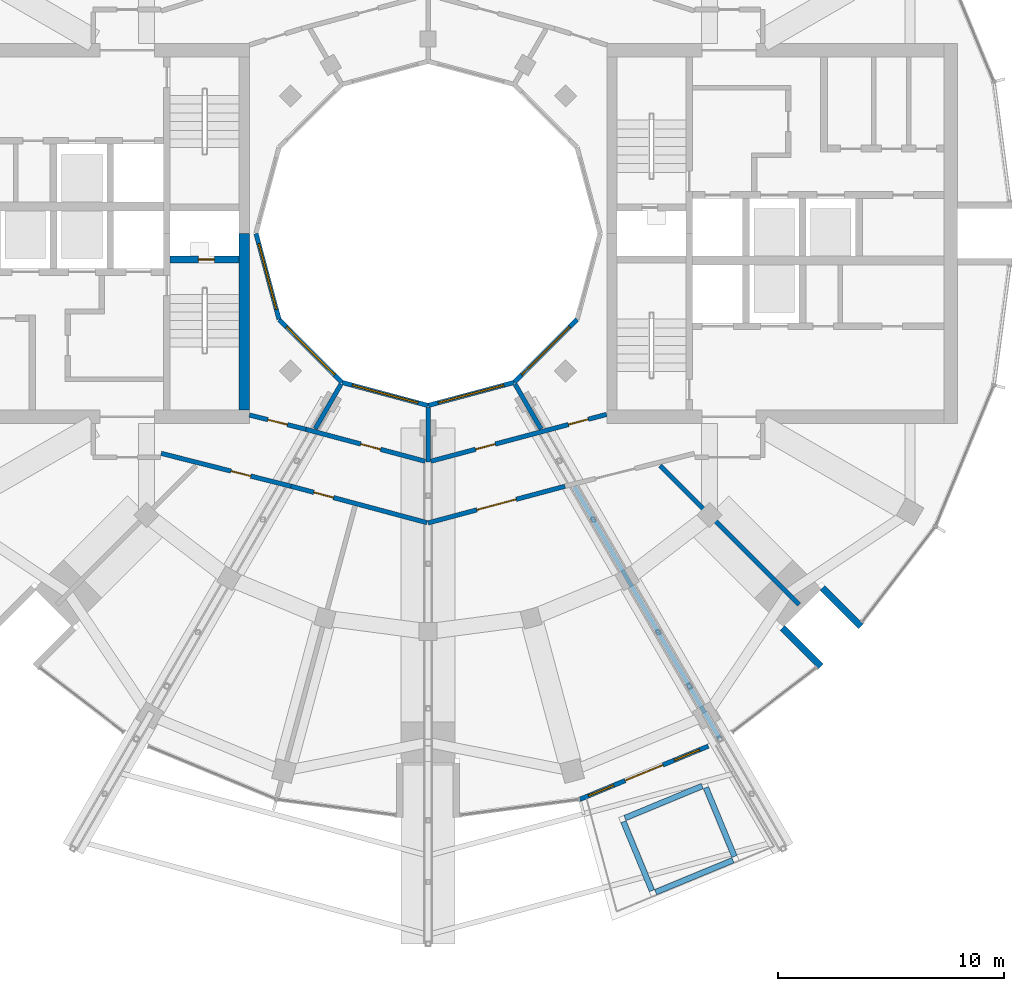
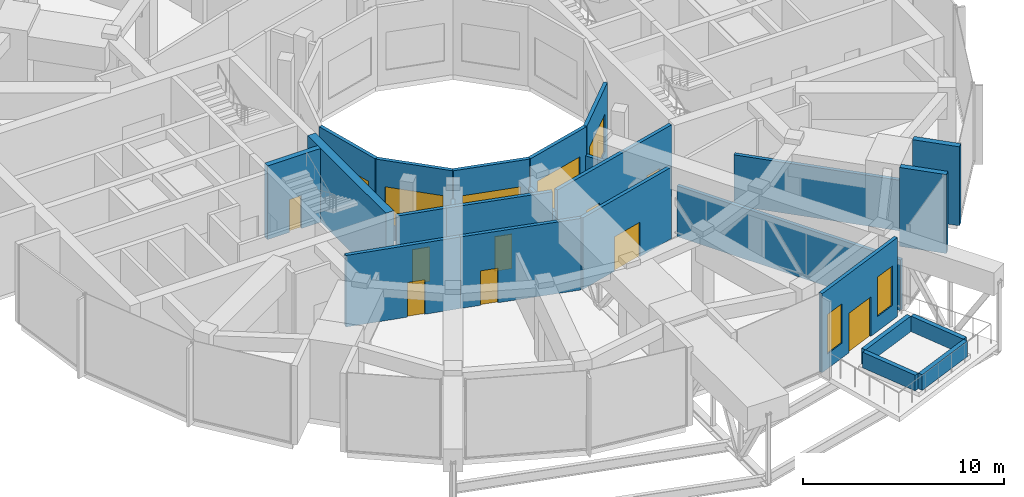
# One storey, part 11 of 17: 25 walls, 9 doors, 7 windows, 16 openings.
"""IFC4 building model written with IfcOpenShell, lengths in metres."""

from ifc_helpers import new_model, si_unit, direction, frame, frame_2d, origin, place, context, subcontext, project, spatial, rectangle, extrude, material, layer, layer_set, type_object, element, fill, save


model = new_model("IFC4")

# Units and contexts
model_context = context("Model", 3, precision=1e-05, world=origin(), true_north=direction((0.0, 1.0)))
body_context = subcontext(model_context, "Body", "Model", "MODEL_VIEW")
ifc_project = project(units=[si_unit("LENGTHUNIT", "METRE"), si_unit("AREAUNIT", "SQUARE_METRE"), si_unit("VOLUMEUNIT", "CUBIC_METRE"), si_unit("PLANEANGLEUNIT", "RADIAN"), si_unit("MASSUNIT", "GRAM", prefix="KILO")], contexts=[model_context])

# Site, building, storey
site_placement = place(None, origin())
site = spatial("IfcSite", under=ifc_project, at=site_placement, CompositionType="ELEMENT")
building_placement = place(site_placement, origin())
building = spatial("IfcBuilding", under=site, at=building_placement, Name="Torre Brocal", CompositionType="ELEMENT")
storey_placement = place(building_placement, frame((0.0, 0.0, 270.89990234375)))
storey = spatial("IfcBuildingStorey", under=building, at=storey_placement, Name="L62", CompositionType="ELEMENT", Elevation=270.89990234375)

# Wall, opening, door
ifc_material_1 = material(Name="Concrete C60", Category="concrete")
ifc_layer_1 = layer(ifc_material_1, 0.300048828125)
ifc_layer_set_1 = layer_set([ifc_layer_1], Name="Concrete C60")
wall_type_1 = type_object("IfcWallType", Name="CORE WALL 300 C60", PredefinedType="SHEAR", material=ifc_layer_set_1)
wall_1_placement = place(storey_placement, frame((71.64990234375, 73.85009765625, 0.0), z_axis=(0.0, 0.0, 1.0), x_axis=(-1.0, 0.0, 0.0)))
wall_1 = element("IfcWall", 1, at=wall_1_placement, inside=storey, type_object=wall_type_1, Name="Wall CW300-60", PredefinedType="SHEAR", context=body_context, shape_type="SweptSolid", body=[
    extrude(rectangle(XDim=3.0498046875, YDim=0.300048828125, at=frame_2d((1.52490234375, 0.0))), origin(), (0.0, 0.0, 1.0), 4.47998046875),
])
opening_1_placement = place(wall_1_placement, frame((1.10009765625, 0.0, 0.0)))
opening_1 = element("IfcOpeningElement", 2, at=opening_1_placement, cuts=wall_1, Name="Opening W-D01", PredefinedType="OPENING", context=body_context, shape_type="SweptSolid", body=[
    extrude(rectangle(XDim=0.699951171875, YDim=2.0, at=frame_2d((0.35009765625, 1.0))), frame((0.0, 0.159912109375, 0.0), z_axis=(0.0, -1.0, 0.0), x_axis=(1.0, 0.0, 0.0)), (0.0, 0.0, 1.0), 0.320068359375),
])
ifc_material_2 = material(Name="Steel A653", Category="steel")
door_type_1 = type_object("IfcDoorType", Name="RISER DOOR FD120 700X2000", OperationType="SINGLE_SWING_LEFT", PredefinedType="DOOR", material=ifc_material_2)
door_1_placement = place(opening_1_placement, frame((0.699951171875, 0.0, 0.0), z_axis=(0.0, 0.0, 1.0), x_axis=(-1.0, 0.0, 0.0)))
door_1 = element("IfcDoor", 3, at=door_1_placement, inside=storey, type_object=door_type_1, Name="Door W-D01", OperationType="SINGLE_SWING_RIGHT", OverallHeight=2.0, OverallWidth=0.699951171875, PredefinedType="DOOR", context=body_context, shape_type="SweptSolid", body=[
    extrude(rectangle(XDim=0.699951171875, YDim=2.0, at=frame_2d((0.35009765625, 1.0))), frame((0.0, 0.02490234375, 0.0), z_axis=(0.0, -1.0, 0.0), x_axis=(1.0, 0.0, 0.0)), (0.0, 0.0, 1.0), 0.050048828125),
])
fill(opening_1, door_1)

# Wall
ifc_material_3 = material(Name="Concrete C60", Category="concrete")
ifc_layer_2 = layer(ifc_material_3, 0.449951171875)
ifc_layer_set_2 = layer_set([ifc_layer_2], Name="Concrete C60")
wall_type_2 = type_object("IfcWallType", Name="CORE WALL 450 C60", PredefinedType="SHEAR", material=ifc_layer_set_2)
wall_2_placement = place(storey_placement, frame((71.875, 75.0, 0.0), z_axis=(0.0, 0.0, 1.0), x_axis=(0.0, -1.0, 0.0)))
element("IfcWall", 4, at=wall_2_placement, inside=storey, type_object=wall_type_2, Name="Wall CW450-60", PredefinedType="SHEAR", context=body_context, shape_type="SweptSolid", body=[
    extrude(rectangle(XDim=7.800048828125, YDim=0.449951171875, at=frame_2d((3.89990234375, 0.0))), origin(), (0.0, 0.0, 1.0), 4.47998046875),
])

# Wall, openings, door, windows
ifc_material_4 = material(Name="Concrete C40", Category="concrete")
ifc_layer_3 = layer(ifc_material_4, 0.199951171875)
ifc_layer_set_3 = layer_set([ifc_layer_3], Name="Concrete C40")
wall_type_3 = type_object("IfcWallType", Name="EXTERNAL WALL 200", PredefinedType="NOTDEFINED", material=ifc_layer_set_3)
wall_3_placement = place(storey_placement, frame((86.703125, 49.9833984375, 0.0), z_axis=(0.0, 0.0, 1.0), x_axis=(0.923881003904, 0.382679880089, 0.0)))
wall_3 = element("IfcWall", 5, at=wall_3_placement, inside=storey, type_object=wall_type_3, Name="EXTERNAL WALL", PredefinedType="NOTDEFINED", context=body_context, shape_type="SweptSolid", body=[
    extrude(rectangle(XDim=6.15576171875, YDim=0.199951171875, at=frame_2d((3.077880859375, 0.0))), origin(), (0.0, 0.0, 1.0), 4.800048828125),
])
opening_2_placement = place(wall_3_placement, frame((0.426025390625, 0.0, 0.89990234375)))
opening_2 = element("IfcOpeningElement", 6, at=opening_2_placement, cuts=wall_3, Name="Opening W3", PredefinedType="OPENING", context=body_context, shape_type="SweptSolid", body=[
    extrude(rectangle(XDim=1.199951171875, YDim=2.39990234375, at=frame_2d((0.60009765625, 1.199951171875))), frame((0.0, 0.10986328125, 0.0), z_axis=(0.0, -1.0, 0.0), x_axis=(1.0, 0.0, 0.0)), (0.0, 0.0, 1.0), 0.219970703125),
])
opening_3_placement = place(wall_3_placement, frame((2.177978515625, 0.0, 0.0)))
opening_3 = element("IfcOpeningElement", 7, at=opening_3_placement, cuts=wall_3, Name="Opening L62-E01", PredefinedType="OPENING", context=body_context, shape_type="SweptSolid", body=[
    extrude(rectangle(XDim=1.800048828125, YDim=2.39990234375, at=frame_2d((0.89990234375, 1.199951171875))), frame((0.0, 0.10986328125, 0.0), z_axis=(0.0, -1.0, 0.0), x_axis=(1.0, 0.0, 0.0)), (0.0, 0.0, 1.0), 0.219970703125),
])
opening_4_placement = place(wall_3_placement, frame((4.52978515625, 0.0, 0.89990234375)))
opening_4 = element("IfcOpeningElement", 8, at=opening_4_placement, cuts=wall_3, Name="Opening W3", PredefinedType="OPENING", context=body_context, shape_type="SweptSolid", body=[
    extrude(rectangle(XDim=1.199951171875, YDim=2.39990234375, at=frame_2d((0.60009765625, 1.199951171875))), frame((0.0, 0.10986328125, 0.0), z_axis=(0.0, -1.0, 0.0), x_axis=(1.0, 0.0, 0.0)), (0.0, 0.0, 1.0), 0.219970703125),
])
ifc_material_5 = material(Name="Aluminium and glass", Category="aluminium")
door_type_2 = type_object("IfcDoorType", Name="TERRACE DOUBLE DOOR 1800X2400", OperationType="DOUBLE_DOOR_SINGLE_SWING", PredefinedType="DOOR", material=ifc_material_5)
door_2_placement = place(opening_3_placement, frame((1.800048828125, 0.0, 0.0), z_axis=(0.0, 0.0, 1.0), x_axis=(-1.0, 0.0, 0.0)))
door_2 = element("IfcDoor", 9, at=door_2_placement, inside=storey, type_object=door_type_2, Name="DOOR L62-E01", OperationType="DOUBLE_DOOR_SINGLE_SWING", OverallHeight=2.39990234375, OverallWidth=1.800048828125, PredefinedType="DOOR", context=body_context, shape_type="SweptSolid", body=[
    extrude(rectangle(XDim=1.800048828125, YDim=2.39990234375, at=frame_2d((0.89990234375, 1.199951171875))), frame((0.0, 0.02490234375, 0.0), z_axis=(0.0, -1.0, 0.0), x_axis=(1.0, 0.0, 0.0)), (0.0, 0.0, 1.0), 0.050048828125),
])
fill(opening_3, door_2)
ifc_material_6 = material(Name="Aluminium and glass", Category="aluminium")
window_type_1 = type_object("IfcWindowType", Name="TERRACE WINDOW 1200X2400", PartitioningType="SINGLE_PANEL", PredefinedType="WINDOW", material=ifc_material_6)
window_1_placement = place(opening_2_placement, origin())
window_1 = element("IfcWindow", 10, at=window_1_placement, inside=storey, type_object=window_type_1, Name="TERRACE WINDOW 1200X2400", OverallHeight=2.39990234375, OverallWidth=1.199951171875, PartitioningType="SINGLE_PANEL", PredefinedType="WINDOW", context=body_context, shape_type="SweptSolid", body=[
    extrude(rectangle(XDim=1.199951171875, YDim=2.39990234375, at=frame_2d((0.60009765625, 1.199951171875))), frame((0.0, 0.030029296875, 0.0), z_axis=(0.0, -1.0, 0.0), x_axis=(1.0, 0.0, 0.0)), (0.0, 0.0, 1.0), 0.06005859375),
])
fill(opening_2, window_1)
window_2_placement = place(opening_4_placement, origin())
window_2 = element("IfcWindow", 11, at=window_2_placement, inside=storey, type_object=window_type_1, Name="TERRACE WINDOW 1200X2400", OverallHeight=2.39990234375, OverallWidth=1.199951171875, PartitioningType="SINGLE_PANEL", PredefinedType="WINDOW", context=body_context, shape_type="SweptSolid", body=[
    extrude(rectangle(XDim=1.199951171875, YDim=2.39990234375, at=frame_2d((0.60009765625, 1.199951171875))), frame((0.0, 0.030029296875, 0.0), z_axis=(0.0, -1.0, 0.0), x_axis=(1.0, 0.0, 0.0)), (0.0, 0.0, 1.0), 0.06005859375),
])
fill(opening_4, window_2)

# Walls
ifc_material_7 = material(Name="Concrete C60", Category="concrete")
ifc_layer_4 = layer(ifc_material_7, 0.300048828125)
ifc_layer_set_4 = layer_set([ifc_layer_4], Name="Concrete C60")
wall_type_4 = type_object("IfcWallType", Name="NOTCH RETURN WALL 300 C60", PredefinedType="NOTDEFINED", material=ifc_layer_set_4)
for number, where, z_axis, x_axis, name in (
    (12, (95.662353515625, 57.56982421875, 0.0), (0.0, 0.0, 1.0), (0.707106781187, -0.707106781187, 0.0), "NOTCH RETURN WALL"),
    (13, (97.43017578125, 59.337646484375, 0.0), (0.0, 0.0, 1.0), (0.707106781187, -0.707106781187, 0.0), "NOTCH RETURN WALL"),
):
    element("IfcWall", number, at=place(storey_placement, frame(where, z_axis=z_axis, x_axis=x_axis)), inside=storey, type_object=wall_type_4, Name=name, PredefinedType="NOTDEFINED", context=body_context, shape_type="SweptSolid", body=[
        extrude(rectangle(XDim=2.415771484375, YDim=0.300048828125, at=frame_2d((1.2080078125, 0.0))), origin(), (0.0, 0.0, 1.0), 4.800048828125),
    ])

# Wall, opening, door
ifc_material_8 = material(Name="Gypsum board", Category="Gypsum")
ifc_layer_5 = layer(ifc_material_8, 0.199951171875)
ifc_layer_set_5 = layer_set([ifc_layer_5], Name="Gypsum board")
wall_type_5 = type_object("IfcWallType", Name="PARTITION 200 EI60", PredefinedType="PARTITIONING", material=ifc_layer_set_5)
wall_4_placement = place(storey_placement, frame((68.201171875, 65.2802734375, 0.0), z_axis=(0.0, 0.0, 1.0), x_axis=(0.969376914413, -0.245577681811, 0.0)))
wall_4 = element("IfcWall", 14, at=wall_4_placement, inside=storey, type_object=wall_type_5, Name="CORRIDOR WALL", PredefinedType="PARTITIONING", context=body_context, shape_type="SweptSolid", body=[
    extrude(rectangle(XDim=5.927001953125, YDim=0.199951171875, at=frame_2d((2.96337890625, 0.0))), origin(), (0.0, 0.0, 1.0), 4.35009765625),
])
opening_5_placement = place(wall_4_placement, frame((3.188232421875, 0.0, 0.0)))
opening_5 = element("IfcOpeningElement", 15, at=opening_5_placement, cuts=wall_4, Name="Opening P01-D14", PredefinedType="OPENING", context=body_context, shape_type="SweptSolid", body=[
    extrude(rectangle(XDim=0.89990234375, YDim=2.10009765625, at=frame_2d((0.449951171875, 1.050048828125))), frame((0.0, 0.10986328125, 0.0), z_axis=(0.0, -1.0, 0.0), x_axis=(1.0, 0.0, 0.0)), (0.0, 0.0, 1.0), 0.219970703125),
])
ifc_material_9 = material(Name="Timber", Category="wood")
door_type_3 = type_object("IfcDoorType", Name="ROOM DOOR 900X2100", OperationType="SINGLE_SWING_LEFT", PredefinedType="DOOR", material=ifc_material_9)
door_3_placement = place(opening_5_placement, frame((0.89990234375, 0.0, 0.0), z_axis=(0.0, 0.0, 1.0), x_axis=(-1.0, 0.0, 0.0)))
door_3 = element("IfcDoor", 16, at=door_3_placement, inside=storey, type_object=door_type_3, Name="P01-D14", OperationType="SINGLE_SWING_LEFT", OverallHeight=2.10009765625, OverallWidth=0.89990234375, PredefinedType="DOOR", context=body_context, shape_type="SweptSolid", body=[
    extrude(rectangle(XDim=0.89990234375, YDim=2.10009765625, at=frame_2d((0.449951171875, 1.050048828125))), frame((0.0, 0.02490234375, 0.0), z_axis=(0.0, -1.0, 0.0), x_axis=(1.0, 0.0, 0.0)), (0.0, 0.0, 1.0), 0.050048828125),
])
fill(opening_5, door_3)

wall_5_placement = place(storey_placement, frame((72.10009765625, 66.97509765625, 0.0), z_axis=(0.0, 0.0, 1.0), x_axis=(0.969471314457, -0.245204752086, 0.0)))
wall_5 = element("IfcWall", 17, at=wall_5_placement, inside=storey, type_object=wall_type_5, Name="CORRIDOR WALL", PredefinedType="PARTITIONING", context=body_context, shape_type="SweptSolid", body=[
    extrude(rectangle(XDim=2.581787109375, YDim=0.199951171875, at=frame_2d((1.291015625, 0.0))), origin(), (0.0, 0.0, 1.0), 4.35009765625),
])
opening_6_placement = place(wall_5_placement, frame((0.8408203125, 0.0, 0.0)))
opening_6 = element("IfcOpeningElement", 18, at=opening_6_placement, cuts=wall_5, Name="Opening P01-D19", PredefinedType="OPENING", context=body_context, shape_type="SweptSolid", body=[
    extrude(rectangle(XDim=0.89990234375, YDim=2.10009765625, at=frame_2d((0.449951171875, 1.050048828125))), frame((0.0, 0.10986328125, 0.0), z_axis=(0.0, -1.0, 0.0), x_axis=(1.0, 0.0, 0.0)), (0.0, 0.0, 1.0), 0.219970703125),
])
door_4_placement = place(opening_6_placement, origin())
door_4 = element("IfcDoor", 19, at=door_4_placement, inside=storey, type_object=door_type_3, Name="P01-D19", OperationType="SINGLE_SWING_LEFT", OverallHeight=2.10009765625, OverallWidth=0.89990234375, PredefinedType="DOOR", context=body_context, shape_type="SweptSolid", body=[
    extrude(rectangle(XDim=0.89990234375, YDim=2.10009765625, at=frame_2d((0.449951171875, 1.050048828125))), frame((0.0, 0.02490234375, 0.0), z_axis=(0.0, -1.0, 0.0), x_axis=(1.0, 0.0, 0.0)), (0.0, 0.0, 1.0), 0.050048828125),
])
fill(opening_6, door_4)

wall_6_placement = place(storey_placement, frame((73.947021484375, 63.826171875, 0.0), z_axis=(0.0, 0.0, 1.0), x_axis=(0.965898432367, -0.258921258979, 0.0)))
wall_6 = element("IfcWall", 20, at=wall_6_placement, inside=storey, type_object=wall_type_5, Name="CORRIDOR WALL", PredefinedType="PARTITIONING", context=body_context, shape_type="SweptSolid", body=[
    extrude(rectangle(XDim=6.216552734375, YDim=0.199951171875, at=frame_2d((3.1083984375, 0.0))), origin(), (0.0, 0.0, 1.0), 4.35009765625),
])
opening_7_placement = place(wall_6_placement, frame((1.037109375, 0.0, 0.0)))
opening_7 = element("IfcOpeningElement", 21, at=opening_7_placement, cuts=wall_6, Name="Opening P01-D13", PredefinedType="OPENING", context=body_context, shape_type="SweptSolid", body=[
    extrude(rectangle(XDim=0.89990234375, YDim=2.10009765625, at=frame_2d((0.449951171875, 1.050048828125))), frame((0.0, 0.10986328125, 0.0), z_axis=(0.0, -1.0, 0.0), x_axis=(1.0, 0.0, 0.0)), (0.0, 0.0, 1.0), 0.219970703125),
])
door_5_placement = place(opening_7_placement, frame((0.89990234375, 0.0, 0.0), z_axis=(0.0, 0.0, 1.0), x_axis=(-1.0, 0.0, 0.0)))
door_5 = element("IfcDoor", 22, at=door_5_placement, inside=storey, type_object=door_type_3, Name="P01-D13", OperationType="SINGLE_SWING_LEFT", OverallHeight=2.10009765625, OverallWidth=0.89990234375, PredefinedType="DOOR", context=body_context, shape_type="SweptSolid", body=[
    extrude(rectangle(XDim=0.89990234375, YDim=2.10009765625, at=frame_2d((0.449951171875, 1.050048828125))), frame((0.0, 0.02490234375, 0.0), z_axis=(0.0, -1.0, 0.0), x_axis=(1.0, 0.0, 0.0)), (0.0, 0.0, 1.0), 0.050048828125),
])
fill(opening_7, door_5)

wall_7_placement = place(storey_placement, frame((74.60302734375, 66.342041015625, 0.0), z_axis=(0.0, 0.0, 1.0), x_axis=(0.965920893652, -0.258837453254, 0.0)))
wall_7 = element("IfcWall", 23, at=wall_7_placement, inside=storey, type_object=wall_type_5, Name="CORRIDOR WALL", PredefinedType="PARTITIONING", context=body_context, shape_type="SweptSolid", body=[
    extrude(rectangle(XDim=5.45751953125, YDim=0.199951171875, at=frame_2d((2.728759765625, 0.0))), origin(), (0.0, 0.0, 1.0), 4.35009765625),
])
opening_8_placement = place(wall_7_placement, frame((2.512451171875, 0.0, 0.0)))
opening_8 = element("IfcOpeningElement", 24, at=opening_8_placement, cuts=wall_7, Name="Opening P01-D18", PredefinedType="OPENING", context=body_context, shape_type="SweptSolid", body=[
    extrude(rectangle(XDim=0.89990234375, YDim=2.10009765625, at=frame_2d((0.449951171875, 1.050048828125))), frame((0.0, 0.10986328125, 0.0), z_axis=(0.0, -1.0, 0.0), x_axis=(1.0, 0.0, 0.0)), (0.0, 0.0, 1.0), 0.219970703125),
])
door_6_placement = place(opening_8_placement, origin())
door_6 = element("IfcDoor", 25, at=door_6_placement, inside=storey, type_object=door_type_3, Name="P01-D18", OperationType="SINGLE_SWING_LEFT", OverallHeight=2.10009765625, OverallWidth=0.89990234375, PredefinedType="DOOR", context=body_context, shape_type="SweptSolid", body=[
    extrude(rectangle(XDim=0.89990234375, YDim=2.10009765625, at=frame_2d((0.449951171875, 1.050048828125))), frame((0.0, 0.02490234375, 0.0), z_axis=(0.0, -1.0, 0.0), x_axis=(1.0, 0.0, 0.0)), (0.0, 0.0, 1.0), 0.050048828125),
])
fill(opening_8, door_6)

# Wall, openings, doors
wall_8_placement = place(storey_placement, frame((80.125, 64.931640625, 0.0), z_axis=(0.0, 0.0, 1.0), x_axis=(0.966236955806, 0.257655089674, 0.0)))
wall_8 = element("IfcWall", 26, at=wall_8_placement, inside=storey, type_object=wall_type_5, Name="PLANT ROOM WALL", PredefinedType="PARTITIONING", context=body_context, shape_type="SweptSolid", body=[
    extrude(rectangle(XDim=8.0390625, YDim=0.199951171875, at=frame_2d((4.01953125, 0.0))), origin(), (0.0, 0.0, 1.0), 4.35009765625),
])
opening_9_placement = place(wall_8_placement, frame((6.298095703125, 0.0, 0.0)))
opening_9 = element("IfcOpeningElement", 27, at=opening_9_placement, cuts=wall_8, Name="Opening P01-D16", PredefinedType="OPENING", context=body_context, shape_type="SweptSolid", body=[
    extrude(rectangle(XDim=0.89990234375, YDim=2.10009765625, at=frame_2d((0.449951171875, 1.050048828125))), frame((0.0, 0.10986328125, 0.0), z_axis=(0.0, -1.0, 0.0), x_axis=(1.0, 0.0, 0.0)), (0.0, 0.0, 1.0), 0.219970703125),
])
opening_10_placement = place(wall_8_placement, frame((2.044921875, 0.0, 0.0)))
opening_10 = element("IfcOpeningElement", 28, at=opening_10_placement, cuts=wall_8, Name="Opening P01-D17", PredefinedType="OPENING", context=body_context, shape_type="SweptSolid", body=[
    extrude(rectangle(XDim=0.89990234375, YDim=2.10009765625, at=frame_2d((0.449951171875, 1.050048828125))), frame((0.0, 0.10986328125, 0.0), z_axis=(0.0, -1.0, 0.0), x_axis=(1.0, 0.0, 0.0)), (0.0, 0.0, 1.0), 0.219970703125),
])
door_7_placement = place(opening_9_placement, origin())
door_7 = element("IfcDoor", 29, at=door_7_placement, inside=storey, type_object=door_type_3, Name="P01-D16", OperationType="SINGLE_SWING_RIGHT", OverallHeight=2.10009765625, OverallWidth=0.89990234375, PredefinedType="DOOR", context=body_context, shape_type="SweptSolid", body=[
    extrude(rectangle(XDim=0.89990234375, YDim=2.10009765625, at=frame_2d((0.449951171875, 1.050048828125))), frame((0.0, 0.02490234375, 0.0), z_axis=(0.0, -1.0, 0.0), x_axis=(1.0, 0.0, 0.0)), (0.0, 0.0, 1.0), 0.050048828125),
])
fill(opening_9, door_7)
door_8_placement = place(opening_10_placement, origin())
door_8 = element("IfcDoor", 30, at=door_8_placement, inside=storey, type_object=door_type_3, Name="P01-D17", OperationType="SINGLE_SWING_RIGHT", OverallHeight=2.10009765625, OverallWidth=0.89990234375, PredefinedType="DOOR", context=body_context, shape_type="SweptSolid", body=[
    extrude(rectangle(XDim=0.89990234375, YDim=2.10009765625, at=frame_2d((0.449951171875, 1.050048828125))), frame((0.0, 0.02490234375, 0.0), z_axis=(0.0, -1.0, 0.0), x_axis=(1.0, 0.0, 0.0)), (0.0, 0.0, 1.0), 0.050048828125),
])
fill(opening_10, door_8)

# Wall, opening, door
wall_9_placement = place(storey_placement, frame((80.0, 62.2041015625, 0.0), z_axis=(0.0, 0.0, 1.0), x_axis=(0.965938139786, 0.258773086132, 0.0)))
wall_9 = element("IfcWall", 31, at=wall_9_placement, inside=storey, type_object=wall_type_5, Name="CORRIDOR WALL", PredefinedType="PARTITIONING", context=body_context, shape_type="SweptSolid", body=[
    extrude(rectangle(XDim=6.266357421875, YDim=0.199951171875, at=frame_2d((3.13330078125, 0.0))), origin(), (0.0, 0.0, 1.0), 4.35009765625),
])
opening_11_placement = place(wall_9_placement, frame((2.2333984375, 0.0, 0.0)))
opening_11 = element("IfcOpeningElement", 32, at=opening_11_placement, cuts=wall_9, Name="Opening P01-D12", PredefinedType="OPENING", context=body_context, shape_type="SweptSolid", body=[
    extrude(rectangle(XDim=1.800048828125, YDim=2.10009765625, at=frame_2d((0.89990234375, 1.050048828125))), frame((0.0, 0.10986328125, 0.0), z_axis=(0.0, -1.0, 0.0), x_axis=(1.0, 0.0, 0.0)), (0.0, 0.0, 1.0), 0.219970703125),
])
ifc_material_10 = material(Name="Timber", Category="wood")
door_type_4 = type_object("IfcDoorType", Name="DOUBLE DOOR 1800X2100", OperationType="DOUBLE_DOOR_SINGLE_SWING", PredefinedType="DOOR", material=ifc_material_10)
door_9_placement = place(opening_11_placement, frame((1.800048828125, 0.0, 0.0), z_axis=(0.0, 0.0, 1.0), x_axis=(-1.0, 0.0, 0.0)))
door_9 = element("IfcDoor", 33, at=door_9_placement, inside=storey, type_object=door_type_4, Name="P01-D12", OperationType="DOUBLE_DOOR_SINGLE_SWING", OverallHeight=2.10009765625, OverallWidth=1.800048828125, PredefinedType="DOOR", context=body_context, shape_type="SweptSolid", body=[
    extrude(rectangle(XDim=1.800048828125, YDim=2.10009765625, at=frame_2d((0.89990234375, 1.050048828125))), frame((0.0, 0.02490234375, 0.0), z_axis=(0.0, -1.0, 0.0), x_axis=(1.0, 0.0, 0.0)), (0.0, 0.0, 1.0), 0.050048828125),
])
fill(opening_11, door_9)

# Walls
ifc_material_11 = material(Name="Gypsum board", Category="Gypsum")
ifc_layer_6 = layer(ifc_material_11, 0.199951171875)
ifc_layer_set_6 = layer_set([ifc_layer_6], Name="Gypsum board")
wall_type_6 = type_object("IfcWallType", Name="PARTITION 200 EI60 UNDER BEAM 1720", PredefinedType="PARTITIONING", material=ifc_layer_set_6)
wall_10_placement = place(storey_placement, frame((75.01123046875, 66.363525390625, 0.0), z_axis=(0.0, 0.0, 1.0), x_axis=(0.500097042406, 0.865969369075, 0.0)))
element("IfcWall", 34, at=wall_10_placement, inside=storey, type_object=wall_type_6, Name="SERVICE ROOM WALL", PredefinedType="PARTITIONING", context=body_context, shape_type="SweptSolid", body=[
    extrude(rectangle(XDim=2.275390625, YDim=0.199951171875, at=frame_2d((1.1376953125, 0.0))), origin(), (0.0, 0.0, 1.0), 3.080078125),
])
wall_11_placement = place(storey_placement, frame((80.0, 64.89599609375, 0.0), z_axis=(0.0, 0.0, 1.0), x_axis=(0.0, 1.0, 0.0)))
element("IfcWall", 35, at=wall_11_placement, inside=storey, type_object=wall_type_6, Name="SERVICE ROOM WALL", PredefinedType="PARTITIONING", context=body_context, shape_type="SweptSolid", body=[
    extrude(rectangle(XDim=2.405029296875, YDim=0.199951171875, at=frame_2d((1.20263671875, 0.0))), origin(), (0.0, 0.0, 1.0), 3.080078125),
])
wall_12_placement = place(storey_placement, frame((83.849609375, 68.333251953125, 0.0), z_axis=(0.0, 0.0, 1.0), x_axis=(0.499953638813, -0.866052168773, 0.0)))
element("IfcWall", 36, at=wall_12_placement, inside=storey, type_object=wall_type_6, Name="PLANT ROOM WALL", PredefinedType="PARTITIONING", context=body_context, shape_type="SweptSolid", body=[
    extrude(rectangle(XDim=2.285400390625, YDim=0.199951171875, at=frame_2d((1.142578125, 0.0))), origin(), (0.0, 0.0, 1.0), 3.080078125),
])
wall_13_placement = place(storey_placement, frame((86.46630859375, 63.80029296875, 0.0), z_axis=(0.0, 0.0, 1.0), x_axis=(0.499941480581, -0.866059187351, 0.0)))
element("IfcWall", 37, at=wall_13_placement, inside=storey, type_object=wall_type_6, Name="PARTY PARTITION", PredefinedType="PARTITIONING", context=body_context, shape_type="SweptSolid", body=[
    extrude(rectangle(XDim=12.865234375, YDim=0.199951171875, at=frame_2d((6.4326171875, 0.0))), origin(), (0.0, 0.0, 1.0), 3.080078125),
])
wall_14_placement = place(storey_placement, frame((90.259521484375, 64.739013671875, 0.0), z_axis=(0.0, 0.0, 1.0), x_axis=(0.707050588015, -0.707162969893, 0.0)))
element("IfcWall", 38, at=wall_14_placement, inside=storey, type_object=wall_type_6, Name="PARTY PARTITION", PredefinedType="PARTITIONING", context=body_context, shape_type="SweptSolid", body=[
    extrude(rectangle(XDim=8.689697265625, YDim=0.199951171875, at=frame_2d((4.3447265625, 0.0))), origin(), (0.0, 0.0, 1.0), 3.080078125),
])
ifc_material_12 = material(Name="Concrete C45", Category="concrete")
ifc_layer_7 = layer(ifc_material_12, 0.25)
ifc_layer_set_7 = layer_set([ifc_layer_7], Name="Concrete C45")
wall_type_7 = type_object("IfcWallType", Name="PLUNGE POOL WALL 250", PredefinedType="USERDEFINED", material=ifc_layer_set_7)
wall_15_placement = place(storey_placement, frame((88.70068359375, 49.16015625, 0.25), z_axis=(0.0, 0.0, 1.0), x_axis=(0.923875293758, 0.382693665462, 0.0)))
element("IfcWall", 39, at=wall_15_placement, inside=storey, type_object=wall_type_7, Name="PLUNGE POOL WALL 1", ObjectType="PLUNGE POOL", PredefinedType="USERDEFINED", context=body_context, shape_type="SweptSolid", body=[
    extrude(rectangle(XDim=3.7001953125, YDim=0.25, at=frame_2d((1.85009765625, 0.0))), origin(), (0.0, 0.0, 1.0), 0.9501953125),
])
wall_16_placement = place(storey_placement, frame((92.282470703125, 50.50830078125, 0.25), z_axis=(0.0, 0.0, 1.0), x_axis=(0.382728600334, -0.923860822032, 0.0)))
element("IfcWall", 40, at=wall_16_placement, inside=storey, type_object=wall_type_7, Name="PLUNGE POOL WALL 2", ObjectType="PLUNGE POOL", PredefinedType="USERDEFINED", context=body_context, shape_type="SweptSolid", body=[
    extrude(rectangle(XDim=3.2998046875, YDim=0.25, at=frame_2d((1.64990234375, 0.0))), origin(), (0.0, 0.0, 1.0), 0.9501953125),
])
wall_17_placement = place(storey_placement, frame((93.477783203125, 47.29638671875, 0.25), z_axis=(0.0, 0.0, 1.0), x_axis=(-0.923875293758, -0.382693665462, 0.0)))
element("IfcWall", 41, at=wall_17_placement, inside=storey, type_object=wall_type_7, Name="PLUNGE POOL WALL 3", ObjectType="PLUNGE POOL", PredefinedType="USERDEFINED", context=body_context, shape_type="SweptSolid", body=[
    extrude(rectangle(XDim=3.7001953125, YDim=0.25, at=frame_2d((1.85009765625, 0.0))), origin(), (0.0, 0.0, 1.0), 0.9501953125),
])
wall_18_placement = place(storey_placement, frame((89.89599609375, 45.947998046875, 0.25), z_axis=(0.0, 0.0, 1.0), x_axis=(-0.382702441477, 0.92387165845, 0.0)))
element("IfcWall", 42, at=wall_18_placement, inside=storey, type_object=wall_type_7, Name="PLUNGE POOL WALL 4", ObjectType="PLUNGE POOL", PredefinedType="USERDEFINED", context=body_context, shape_type="SweptSolid", body=[
    extrude(rectangle(XDim=3.300048828125, YDim=0.25, at=frame_2d((1.64990234375, 0.0))), origin(), (0.0, 0.0, 1.0), 0.9501953125),
])

# Wall, opening, window
ifc_material_13 = material(Name="Concrete C40", Category="concrete")
ifc_layer_8 = layer(ifc_material_13, 0.199951171875)
ifc_layer_set_8 = layer_set([ifc_layer_8], Name="Concrete C40")
wall_type_8 = type_object("IfcWallType", Name="WELL FACADE WALL 200", PredefinedType="NOTDEFINED", material=ifc_layer_set_8)
wall_19_placement = place(storey_placement, frame((72.396484375, 75.0, 0.0), z_axis=(0.0, 0.0, 1.0), x_axis=(0.258789828301, -0.965933654434, 0.0)))
wall_19 = element("IfcWall", 43, at=wall_19_placement, inside=storey, type_object=wall_type_8, Name="WELL FACADE WALL", PredefinedType="NOTDEFINED", context=body_context, shape_type="SweptSolid", body=[
    extrude(rectangle(XDim=3.935791015625, YDim=0.199951171875, at=frame_2d((1.9677734375, 0.0))), origin(), (0.0, 0.0, 1.0), 4.800048828125),
])
opening_12_placement = place(wall_19_placement, frame((0.468017578125, 0.0, 0.89990234375)))
opening_12 = element("IfcOpeningElement", 44, at=opening_12_placement, cuts=wall_19, Name="Opening W1", PredefinedType="OPENING", context=body_context, shape_type="SweptSolid", body=[
    extrude(rectangle(XDim=3.0, YDim=2.300048828125, at=frame_2d((1.5, 1.14990234375))), frame((0.0, 0.10986328125, 0.0), z_axis=(0.0, -1.0, 0.0), x_axis=(1.0, 0.0, 0.0)), (0.0, 0.0, 1.0), 0.219970703125),
])
ifc_material_14 = material(Name="Aluminium and glass", Category="aluminium")
window_type_2 = type_object("IfcWindowType", Name="WELL WINDOW 3000X2300", PartitioningType="SINGLE_PANEL", PredefinedType="WINDOW", material=ifc_material_14)
window_3_placement = place(opening_12_placement, origin())
window_3 = element("IfcWindow", 45, at=window_3_placement, inside=storey, type_object=window_type_2, Name="WELL WINDOW 3000X2300", OverallHeight=2.300048828125, OverallWidth=3.0, PartitioningType="SINGLE_PANEL", PredefinedType="WINDOW", context=body_context, shape_type="SweptSolid", body=[
    extrude(rectangle(XDim=3.0, YDim=2.300048828125, at=frame_2d((1.5, 1.14990234375))), frame((0.0, 0.030029296875, 0.0), z_axis=(0.0, -1.0, 0.0), x_axis=(1.0, 0.0, 0.0)), (0.0, 0.0, 1.0), 0.06005859375),
])
fill(opening_12, window_3)

wall_20_placement = place(storey_placement, frame((73.4150390625, 71.1982421875, 0.0), z_axis=(0.0, 0.0, 1.0), x_axis=(0.707106781187, -0.707106781187, 0.0)))
wall_20 = element("IfcWall", 46, at=wall_20_placement, inside=storey, type_object=wall_type_8, Name="WELL FACADE WALL", PredefinedType="NOTDEFINED", context=body_context, shape_type="SweptSolid", body=[
    extrude(rectangle(XDim=3.93603515625, YDim=0.199951171875, at=frame_2d((1.968017578125, 0.0))), origin(), (0.0, 0.0, 1.0), 4.800048828125),
])
opening_13_placement = place(wall_20_placement, frame((0.468017578125, 0.0, 0.89990234375)))
opening_13 = element("IfcOpeningElement", 47, at=opening_13_placement, cuts=wall_20, Name="Opening W1", PredefinedType="OPENING", context=body_context, shape_type="SweptSolid", body=[
    extrude(rectangle(XDim=3.0, YDim=2.300048828125, at=frame_2d((1.5, 1.14990234375))), frame((0.0, 0.10986328125, 0.0), z_axis=(0.0, -1.0, 0.0), x_axis=(1.0, 0.0, 0.0)), (0.0, 0.0, 1.0), 0.219970703125),
])
window_4_placement = place(opening_13_placement, origin())
window_4 = element("IfcWindow", 48, at=window_4_placement, inside=storey, type_object=window_type_2, Name="WELL WINDOW 3000X2300", OverallHeight=2.300048828125, OverallWidth=3.0, PartitioningType="SINGLE_PANEL", PredefinedType="WINDOW", context=body_context, shape_type="SweptSolid", body=[
    extrude(rectangle(XDim=3.0, YDim=2.300048828125, at=frame_2d((1.5, 1.14990234375))), frame((0.0, 0.030029296875, 0.0), z_axis=(0.0, -1.0, 0.0), x_axis=(1.0, 0.0, 0.0)), (0.0, 0.0, 1.0), 0.06005859375),
])
fill(opening_13, window_4)

wall_21_placement = place(storey_placement, frame((76.1982421875, 68.4150390625, 0.0), z_axis=(0.0, 0.0, 1.0), x_axis=(0.965933654434, -0.258789828301, 0.0)))
wall_21 = element("IfcWall", 49, at=wall_21_placement, inside=storey, type_object=wall_type_8, Name="WELL FACADE WALL", PredefinedType="NOTDEFINED", context=body_context, shape_type="SweptSolid", body=[
    extrude(rectangle(XDim=3.935791015625, YDim=0.199951171875, at=frame_2d((1.9677734375, 0.0))), origin(), (0.0, 0.0, 1.0), 4.800048828125),
])
opening_14_placement = place(wall_21_placement, frame((0.468017578125, 0.0, 0.89990234375)))
opening_14 = element("IfcOpeningElement", 50, at=opening_14_placement, cuts=wall_21, Name="Opening W1", PredefinedType="OPENING", context=body_context, shape_type="SweptSolid", body=[
    extrude(rectangle(XDim=3.0, YDim=2.300048828125, at=frame_2d((1.5, 1.14990234375))), frame((0.0, 0.10986328125, 0.0), z_axis=(0.0, -1.0, 0.0), x_axis=(1.0, 0.0, 0.0)), (0.0, 0.0, 1.0), 0.219970703125),
])
window_5_placement = place(opening_14_placement, origin())
window_5 = element("IfcWindow", 51, at=window_5_placement, inside=storey, type_object=window_type_2, Name="WELL WINDOW 3000X2300", OverallHeight=2.300048828125, OverallWidth=3.0, PartitioningType="SINGLE_PANEL", PredefinedType="WINDOW", context=body_context, shape_type="SweptSolid", body=[
    extrude(rectangle(XDim=3.0, YDim=2.300048828125, at=frame_2d((1.5, 1.14990234375))), frame((0.0, 0.030029296875, 0.0), z_axis=(0.0, -1.0, 0.0), x_axis=(1.0, 0.0, 0.0)), (0.0, 0.0, 1.0), 0.06005859375),
])
fill(opening_14, window_5)

wall_22_placement = place(storey_placement, frame((80.0, 67.396484375, 0.0), z_axis=(0.0, 0.0, 1.0), x_axis=(0.965933654434, 0.258789828301, 0.0)))
wall_22 = element("IfcWall", 52, at=wall_22_placement, inside=storey, type_object=wall_type_8, Name="WELL FACADE WALL", PredefinedType="NOTDEFINED", context=body_context, shape_type="SweptSolid", body=[
    extrude(rectangle(XDim=3.935791015625, YDim=0.199951171875, at=frame_2d((1.9677734375, 0.0))), origin(), (0.0, 0.0, 1.0), 4.800048828125),
])
opening_15_placement = place(wall_22_placement, frame((0.468017578125, 0.0, 0.89990234375)))
opening_15 = element("IfcOpeningElement", 53, at=opening_15_placement, cuts=wall_22, Name="Opening W1", PredefinedType="OPENING", context=body_context, shape_type="SweptSolid", body=[
    extrude(rectangle(XDim=3.0, YDim=2.300048828125, at=frame_2d((1.5, 1.14990234375))), frame((0.0, 0.10986328125, 0.0), z_axis=(0.0, -1.0, 0.0), x_axis=(1.0, 0.0, 0.0)), (0.0, 0.0, 1.0), 0.219970703125),
])
window_6_placement = place(opening_15_placement, origin())
window_6 = element("IfcWindow", 54, at=window_6_placement, inside=storey, type_object=window_type_2, Name="WELL WINDOW 3000X2300", OverallHeight=2.300048828125, OverallWidth=3.0, PartitioningType="SINGLE_PANEL", PredefinedType="WINDOW", context=body_context, shape_type="SweptSolid", body=[
    extrude(rectangle(XDim=3.0, YDim=2.300048828125, at=frame_2d((1.5, 1.14990234375))), frame((0.0, 0.030029296875, 0.0), z_axis=(0.0, -1.0, 0.0), x_axis=(1.0, 0.0, 0.0)), (0.0, 0.0, 1.0), 0.06005859375),
])
fill(opening_15, window_6)

wall_23_placement = place(storey_placement, frame((83.8017578125, 68.4150390625, 0.0), z_axis=(0.0, 0.0, 1.0), x_axis=(0.707106781187, 0.707106781187, 0.0)))
wall_23 = element("IfcWall", 55, at=wall_23_placement, inside=storey, type_object=wall_type_8, Name="WELL FACADE WALL", PredefinedType="NOTDEFINED", context=body_context, shape_type="SweptSolid", body=[
    extrude(rectangle(XDim=3.93603515625, YDim=0.199951171875, at=frame_2d((1.968017578125, 0.0))), origin(), (0.0, 0.0, 1.0), 4.800048828125),
])
opening_16_placement = place(wall_23_placement, frame((0.468017578125, 0.0, 0.89990234375)))
opening_16 = element("IfcOpeningElement", 56, at=opening_16_placement, cuts=wall_23, Name="Opening W1", PredefinedType="OPENING", context=body_context, shape_type="SweptSolid", body=[
    extrude(rectangle(XDim=3.0, YDim=2.300048828125, at=frame_2d((1.5, 1.14990234375))), frame((0.0, 0.10986328125, 0.0), z_axis=(0.0, -1.0, 0.0), x_axis=(1.0, 0.0, 0.0)), (0.0, 0.0, 1.0), 0.219970703125),
])
window_7_placement = place(opening_16_placement, origin())
window_7 = element("IfcWindow", 57, at=window_7_placement, inside=storey, type_object=window_type_2, Name="WELL WINDOW 3000X2300", OverallHeight=2.300048828125, OverallWidth=3.0, PartitioningType="SINGLE_PANEL", PredefinedType="WINDOW", context=body_context, shape_type="SweptSolid", body=[
    extrude(rectangle(XDim=3.0, YDim=2.300048828125, at=frame_2d((1.5, 1.14990234375))), frame((0.0, 0.030029296875, 0.0), z_axis=(0.0, -1.0, 0.0), x_axis=(1.0, 0.0, 0.0)), (0.0, 0.0, 1.0), 0.06005859375),
])
fill(opening_16, window_7)

save(model, "model.ifc")
